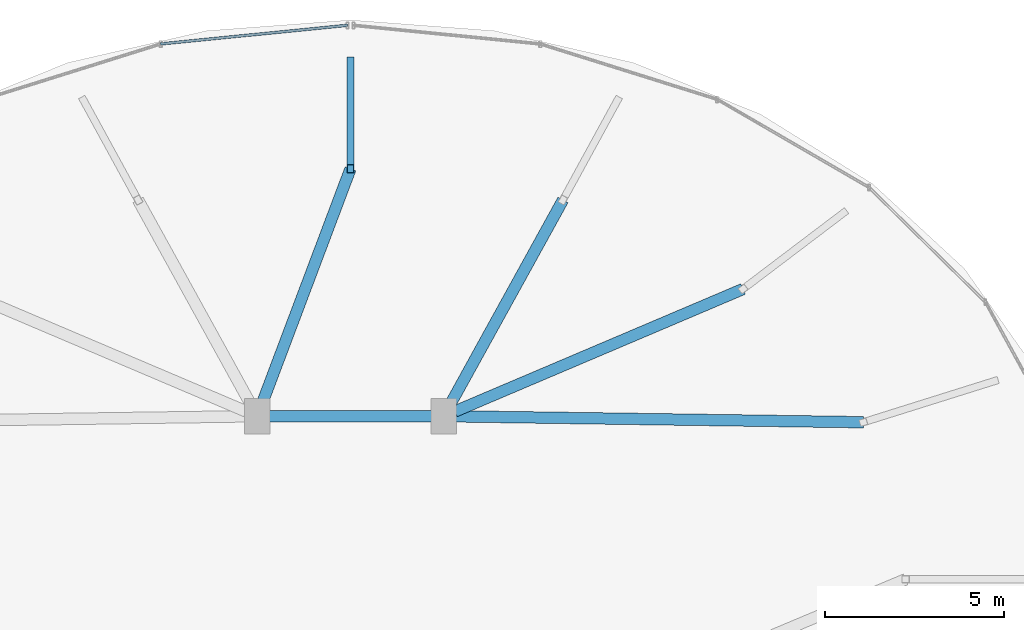
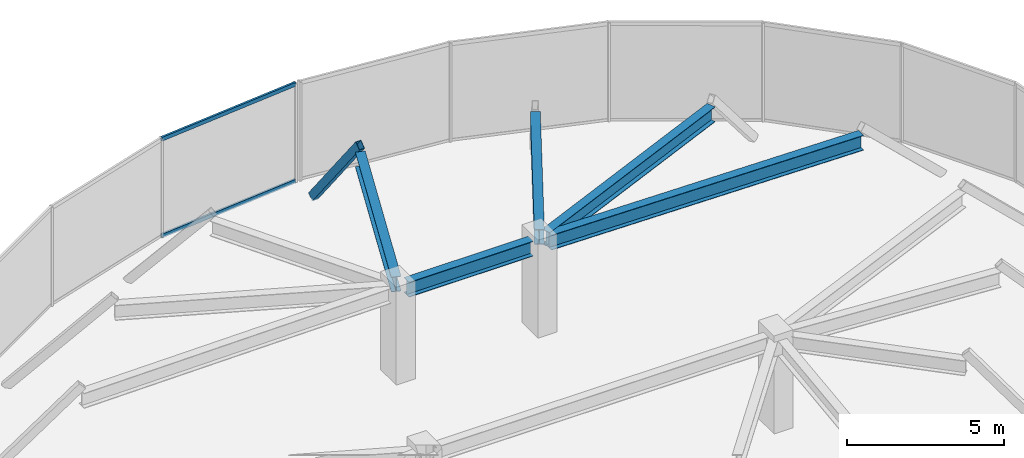
# One storey, part 10 of 14: 5 beams, 3 members, 1 element without a shape of its own.
"""IFC4 building model written with IfcOpenShell, lengths in metres."""

from ifc_helpers import new_model, si_unit, direction, frame, origin, origin_2d, place, context, subcontext, project, spatial, hollow_rectangle, i_section, extrude, material, material_profile, profile_set, type_object, element, aggregate, save


model = new_model("IFC4")

# Units and contexts
model_context = context("Model", 3, precision=1e-05, world=origin(), true_north=direction((0.0, 1.0)))
body_context = subcontext(model_context, "Body", "Model", "MODEL_VIEW")
ifc_project = project(units=[si_unit("LENGTHUNIT", "METRE"), si_unit("AREAUNIT", "SQUARE_METRE"), si_unit("VOLUMEUNIT", "CUBIC_METRE"), si_unit("PLANEANGLEUNIT", "RADIAN"), si_unit("MASSUNIT", "GRAM", prefix="KILO")], contexts=[model_context])

# Site, building, storey
site_placement = place(None, origin())
site = spatial("IfcSite", under=ifc_project, at=site_placement, CompositionType="ELEMENT")
building_placement = place(site_placement, origin())
building = spatial("IfcBuilding", under=site, at=building_placement, Name="Vorneva Point Tower", CompositionType="ELEMENT")
storey_placement = place(building_placement, frame((0.0, 0.0, 299.199951171875)))
storey = spatial("IfcBuildingStorey", under=building, at=storey_placement, Name="C02", CompositionType="ELEMENT", Elevation=299.199951171875)

# Beams
ifc_material_1 = material(Name="Steel S355", Category="steel")
ifc_material_profile_1 = material_profile(ifc_material_1, i_section(OverallWidth=0.320068359375, OverallDepth=0.580078125, WebThickness=0.011962890625, FlangeThickness=0.01708984375, at=origin_2d()), Name="60Sh1")
ifc_profile_set_1 = profile_set([ifc_material_profile_1], Name="Steel S355")
beam_type = type_object("IfcBeamType", Name="BM-GRD-60Sh1", PredefinedType="USERDEFINED", material=ifc_profile_set_1)
beam_1_placement = place(storey_placement, frame((52.303466796875, 30.381591796875, 3.260009765625), z_axis=(-0.999896412809, 0.014393180719, 0.0), x_axis=(-0.014393180719, -0.999896412809, 0.0)))
element("IfcBeam", 1, at=beam_1_placement, inside=storey, type_object=beam_type, Name="C02 Radial Primary Girder 02", ObjectType="GIRDER", PredefinedType="USERDEFINED", context=body_context, shape_type="SweptSolid", body=[
    extrude(i_section(OverallWidth=0.320068359375, OverallDepth=0.580078125, WebThickness=0.011962890625, FlangeThickness=0.01708984375, at=origin_2d()), origin(), (0.0, 0.0, 1.0), 11.36474609375),
])
beam_2_placement = place(storey_placement, frame((48.947509765625, 34.096435546875, 3.260009765625), z_axis=(-0.920378731546, -0.391028119856, 0.0), x_axis=(0.391028119856, -0.920378731546, 0.0)))
element("IfcBeam", 2, at=beam_2_placement, inside=storey, type_object=beam_type, Name="C02 Radial Primary Girder 03", ObjectType="GIRDER", PredefinedType="USERDEFINED", context=body_context, shape_type="SweptSolid", body=[
    extrude(i_section(OverallWidth=0.320068359375, OverallDepth=0.580078125, WebThickness=0.011962890625, FlangeThickness=0.01708984375, at=origin_2d()), origin(), (0.0, 0.0, 1.0), 8.729736328125),
])
beam_3_placement = place(storey_placement, frame((43.9248046875, 36.578369140625, 3.260009765625), z_axis=(-0.482945190074, -0.875650582929, 0.0), x_axis=(0.875650582929, -0.482945190074, 0.0)))
element("IfcBeam", 3, at=beam_3_placement, inside=storey, type_object=beam_type, Name="C02 Radial Primary Girder 04", ObjectType="GIRDER", PredefinedType="USERDEFINED", context=body_context, shape_type="SweptSolid", body=[
    extrude(i_section(OverallWidth=0.320068359375, OverallDepth=0.580078125, WebThickness=0.011962890625, FlangeThickness=0.01708984375, at=origin_2d()), origin(), (0.0, 0.0, 1.0), 6.54443359375),
])
beam_4_placement = place(storey_placement, frame((38.0, 37.449951171875, 3.260009765625), z_axis=(-0.352595137746, -0.9357759715, 0.0), x_axis=(0.9357759715, -0.352595137746, 0.0)))
element("IfcBeam", 4, at=beam_4_placement, inside=storey, type_object=beam_type, Name="C02 Radial Primary Girder 05", ObjectType="GIRDER", PredefinedType="USERDEFINED", context=body_context, shape_type="SweptSolid", body=[
    extrude(i_section(OverallWidth=0.320068359375, OverallDepth=0.580078125, WebThickness=0.011962890625, FlangeThickness=0.01708984375, at=origin_2d()), origin(), (0.0, 0.0, 1.0), 7.033447265625),
])
beam_5_placement = place(storey_placement, frame((35.719970703125, 30.550048828125, 3.260009765625), z_axis=(1.0, 0.0, 0.0), x_axis=(0.0, 1.0, 0.0)))
element("IfcBeam", 5, at=beam_5_placement, inside=storey, type_object=beam_type, Name="C02 Core Tie Girder CT2", ObjectType="GIRDER", PredefinedType="USERDEFINED", context=body_context, shape_type="SweptSolid", body=[
    extrude(i_section(OverallWidth=0.320068359375, OverallDepth=0.580078125, WebThickness=0.011962890625, FlangeThickness=0.01708984375, at=origin_2d()), origin(), (0.0, 0.0, 1.0), 4.56005859375),
])

# Curtain wall, members
ifc_material_2 = material(Name="Pale anodised aluminium", Category="aluminium")
curtain_wall_type = type_object("IfcCurtainWallType", Name="CW-CRN-SYS", PredefinedType="NOTDEFINED", material=ifc_material_2)
curtain_wall_placement = place(storey_placement, origin())
curtain_wall = element("IfcCurtainWall", 6, at=curtain_wall_placement, inside=storey, type_object=curtain_wall_type, Name="C02 Unitised Curtain Wall CW-C02-Q2", PredefinedType="NOTDEFINED")
ifc_material_profile_2 = material_profile(ifc_material_2, hollow_rectangle(XDim=0.074951171875, YDim=0.14990234375, WallThickness=0.00390625, at=origin_2d()), Name="AL-TRN 150x75x4")
ifc_profile_set_2 = profile_set([ifc_material_profile_2], Name="Pale anodised aluminium")
member_type_1 = type_object("IfcMemberType", Name="CW-TRN-150", PredefinedType="USERDEFINED", material=ifc_profile_set_2)
member_1_placement = place(storey_placement, frame((37.92041015625, 41.4521484375, 0.02001953125), z_axis=(-0.995081379901, -0.099060826637, 0.0), x_axis=(0.099060826637, -0.995081379901, 0.0)))
member_1 = element("IfcMember", 7, at=member_1_placement, type_object=member_type_1, Name="CW-C02-Q2 Transom 01.1", ObjectType="TRANSOM", PredefinedType="USERDEFINED", context=body_context, shape_type="SweptSolid", body=[
    extrude(hollow_rectangle(XDim=0.074951171875, YDim=0.14990234375, WallThickness=0.00390625, at=origin_2d()), origin(), (0.0, 0.0, 1.0), 5.23974609375),
])
member_2_placement = place(storey_placement, frame((37.92041015625, 41.4521484375, 3.780029296875), z_axis=(-0.995081379901, -0.099060826637, 0.0), x_axis=(0.099060826637, -0.995081379901, 0.0)))
member_2 = element("IfcMember", 8, at=member_2_placement, type_object=member_type_1, Name="CW-C02-Q2 Transom 01.2", ObjectType="TRANSOM", PredefinedType="USERDEFINED", context=body_context, shape_type="SweptSolid", body=[
    extrude(hollow_rectangle(XDim=0.074951171875, YDim=0.14990234375, WallThickness=0.00390625, at=origin_2d()), origin(), (0.0, 0.0, 1.0), 5.23974609375),
])
aggregate(curtain_wall, [member_1, member_2])

# Member
ifc_material_profile_3 = material_profile(ifc_material_1, hollow_rectangle(XDim=0.199951171875, YDim=0.300048828125, WallThickness=0.011962890625, at=origin_2d()), Name="PP 300x200x12")
ifc_profile_set_3 = profile_set([ifc_material_profile_3], Name="Steel S355")
member_type_2 = type_object("IfcMemberType", Name="MBR-CRN-PP300", PredefinedType="CHORD", material=ifc_profile_set_3)
member_3_placement = place(storey_placement, frame((38.0, 40.449951171875, 0.0), z_axis=(0.0, -0.619639383612, 0.784886637851), x_axis=(1.0, 0.0, 0.0)))
element("IfcMember", 9, at=member_3_placement, inside=storey, type_object=member_type_2, Name="Crown Tapered Frame Rib C02-05", PredefinedType="CHORD", context=body_context, shape_type="SweptSolid", body=[
    extrude(hollow_rectangle(XDim=0.199951171875, YDim=0.300048828125, WallThickness=0.011962890625, at=origin_2d()), origin(), (0.0, 0.0, 1.0), 4.841552734375),
])

save(model, "model.ifc")
